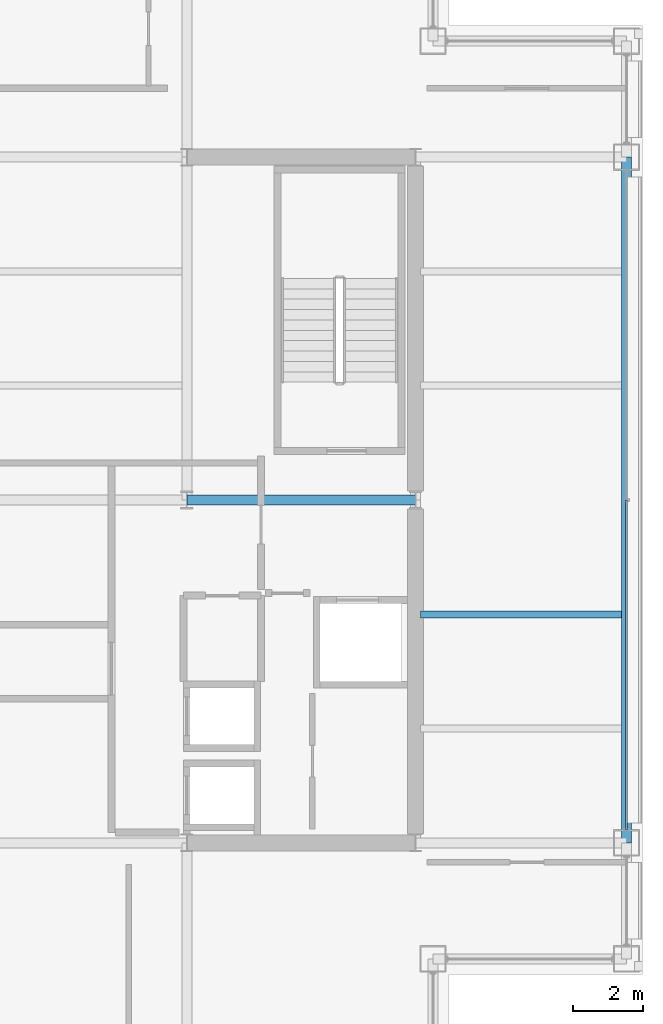
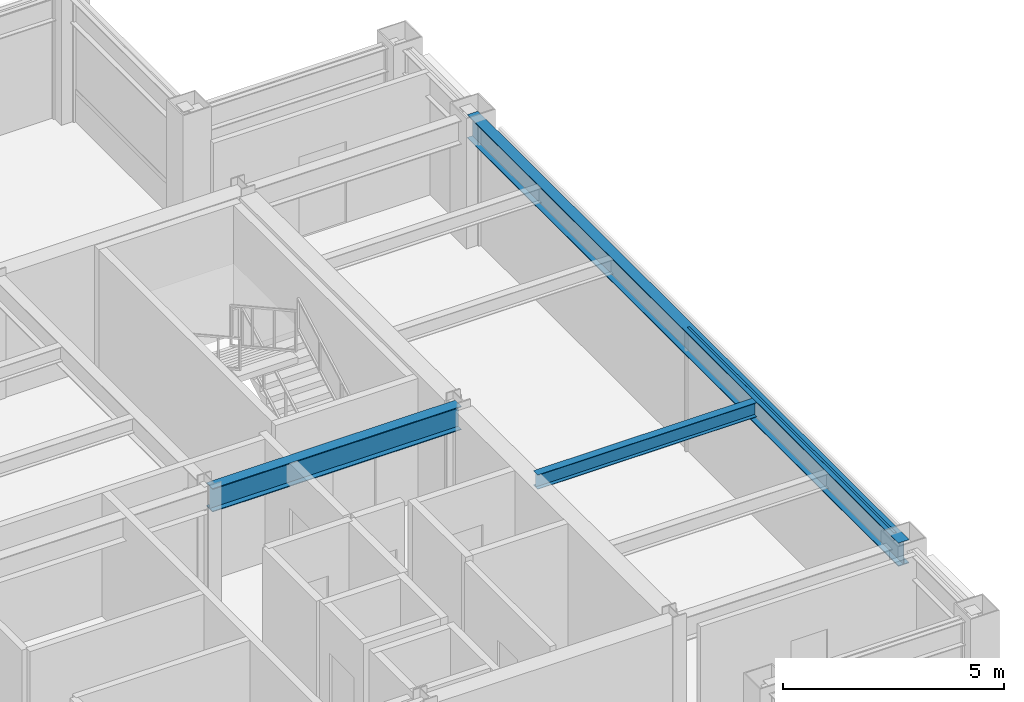
# One storey, part 15 of 31: 3 beams, 1 member, 1 element without a shape of its own.
"""IFC4 building model written with IfcOpenShell, lengths in metres."""

from ifc_helpers import new_model, si_unit, direction, frame, origin, origin_2d, place, context, subcontext, project, spatial, hollow_rectangle, i_section, extrude, material, layer, layer_set, material_profile, profile_set, type_object, element, aggregate, save


model = new_model("IFC4")

# Units and contexts
model_context = context("Model", 3, precision=1e-05, world=origin(), true_north=direction((0.0, 1.0)))
body_context = subcontext(model_context, "Body", "Model", "MODEL_VIEW")
ifc_project = project(units=[si_unit("LENGTHUNIT", "METRE"), si_unit("AREAUNIT", "SQUARE_METRE"), si_unit("VOLUMEUNIT", "CUBIC_METRE"), si_unit("PLANEANGLEUNIT", "RADIAN"), si_unit("MASSUNIT", "GRAM", prefix="KILO")], contexts=[model_context])

# Site, building, storey
site_placement = place(None, origin())
site = spatial("IfcSite", under=ifc_project, at=site_placement, CompositionType="ELEMENT")
building_placement = place(site_placement, origin())
building = spatial("IfcBuilding", under=site, at=building_placement, Name="Brelmoor Portico Tower", CompositionType="ELEMENT")
storey_placement = place(building_placement, frame((0.0, 0.0, 176.699951171875)))
storey = spatial("IfcBuildingStorey", under=building, at=storey_placement, Name="L46", CompositionType="ELEMENT", Elevation=176.699951171875)

# Beams
ifc_material_1 = material(Name="Steel Q355B", Category="steel")
ifc_material_profile_1 = material_profile(ifc_material_1, i_section(OverallWidth=0.199951171875, OverallDepth=0.39990234375, WebThickness=0.008056640625, FlangeThickness=0.012939453125, at=origin_2d()), Name="HN 400x200x8x13")
ifc_profile_set_1 = profile_set([ifc_material_profile_1], Name="Steel Q355B")
beam_type_1 = type_object("IfcBeamType", Name="BM-JS-400", PredefinedType="JOIST", material=ifc_profile_set_1)
beam_1_placement = place(storey_placement, frame((14.68994140625, -3.25, 3.199951171875), z_axis=(1.0, 0.0, 0.0), x_axis=(0.0, 1.0, 0.0)))
element("IfcBeam", 1, at=beam_1_placement, inside=storey, type_object=beam_type_1, Name="L46 Secondary Wing Joist JS-E10", PredefinedType="JOIST", context=body_context, shape_type="SweptSolid", body=[
    extrude(i_section(OverallWidth=0.199951171875, OverallDepth=0.39990234375, WebThickness=0.008056640625, FlangeThickness=0.012939453125, at=origin_2d()), origin(), (0.0, 0.0, 1.0), 5.719970703125),
])
ifc_material_profile_2 = material_profile(ifc_material_1, i_section(OverallWidth=0.280029296875, OverallDepth=0.64990234375, WebThickness=0.012939453125, FlangeThickness=0.02197265625, at=origin_2d()), Name="HN 650x280x13x22")
ifc_profile_set_2 = profile_set([ifc_material_profile_2], Name="Steel Q355B")
beam_type_2 = type_object("IfcBeamType", Name="BM-PG-650", PredefinedType="BEAM", material=ifc_profile_set_2)
beam_2_placement = place(storey_placement, frame((8.050048828125, 0.0, 3.074951171875), z_axis=(1.0, 0.0, 0.0), x_axis=(0.0, 1.0, 0.0)))
element("IfcBeam", 2, at=beam_2_placement, inside=storey, type_object=beam_type_2, Name="L46 Primary Floor Girder PG-18", PredefinedType="BEAM", context=body_context, shape_type="SweptSolid", body=[
    extrude(i_section(OverallWidth=0.280029296875, OverallDepth=0.64990234375, WebThickness=0.012939453125, FlangeThickness=0.02197265625, at=origin_2d()), origin(), (0.0, 0.0, 1.0), 6.5),
])
ifc_material_profile_3 = material_profile(ifc_material_1, i_section(OverallWidth=0.280029296875, OverallDepth=0.64990234375, WebThickness=0.012939453125, FlangeThickness=0.02197265625, at=origin_2d()), Name="HN 650x280x13x22")
ifc_profile_set_3 = profile_set([ifc_material_profile_3], Name="Steel Q355B")
beam_type_3 = type_object("IfcBeamType", Name="BM-SP-650", PredefinedType="SPANDREL", material=ifc_profile_set_3)
beam_3_placement = place(storey_placement, frame((20.550048828125, -9.75, 3.074951171875), z_axis=(0.0, 1.0, 0.0), x_axis=(-1.0, 0.0, 0.0)))
element("IfcBeam", 3, at=beam_3_placement, inside=storey, type_object=beam_type_3, Name="L46 Perimeter Spandrel Beam SP-19", PredefinedType="SPANDREL", context=body_context, shape_type="SweptSolid", body=[
    extrude(i_section(OverallWidth=0.280029296875, OverallDepth=0.64990234375, WebThickness=0.012939453125, FlangeThickness=0.02197265625, at=origin_2d()), origin(), (0.0, 0.0, 1.0), 19.5),
])

# Curtain wall, member
ifc_material_2 = material(Name="Anodised Aluminium Alloy 6063-T6", Category="aluminium")
ifc_layer = layer(ifc_material_2, 0.179931640625)
ifc_layer_set = layer_set([ifc_layer], Name="Anodised Aluminium Alloy 6063-T6")
curtain_wall_type = type_object("IfcCurtainWallType", Name="CW-TOWER-Z3-XB", PredefinedType="NOTDEFINED", material=ifc_layer_set)
curtain_wall_placement = place(storey_placement, origin())
curtain_wall = element("IfcCurtainWall", 4, at=curtain_wall_placement, inside=storey, type_object=curtain_wall_type, Name="L46 Curtain Wall CW-L46-04-2", PredefinedType="NOTDEFINED")
ifc_material_profile_4 = material_profile(ifc_material_2, hollow_rectangle(XDim=0.06005859375, YDim=0.125, WallThickness=0.00341796875, at=origin_2d()), Name="ALU TRANSOM 60x125")
ifc_profile_set_4 = profile_set([ifc_material_profile_4], Name="Anodised Aluminium Alloy 6063-T6")
member_type = type_object("IfcMemberType", Name="MB-CW-TRAN-125", PredefinedType="USERDEFINED", material=ifc_profile_set_4)
member_placement = place(storey_placement, frame((20.550048828125, -9.364990234375, 3.337646484375), z_axis=(0.0, 1.0, 0.0), x_axis=(-1.0, 0.0, 0.0)))
member = element("IfcMember", 5, at=member_placement, type_object=member_type, Name="CW-L46-04-2 Transom 1-00", ObjectType="TRANSOM", PredefinedType="USERDEFINED", context=body_context, shape_type="SweptSolid", body=[
    extrude(hollow_rectangle(XDim=0.06005859375, YDim=0.125, WallThickness=0.00341796875, at=origin_2d()), origin(), (0.0, 0.0, 1.0), 9.364990234375),
])
aggregate(curtain_wall, [member])

save(model, "model.ifc")
